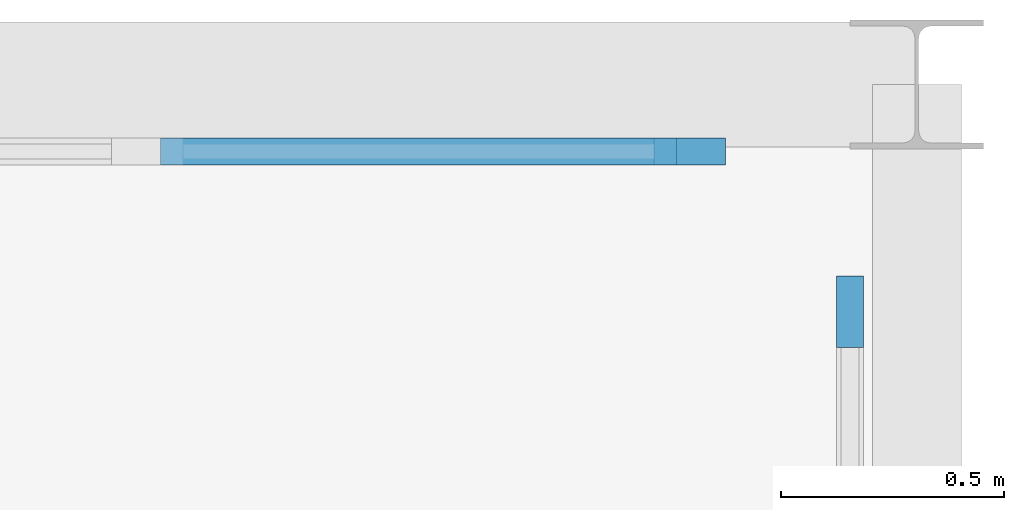
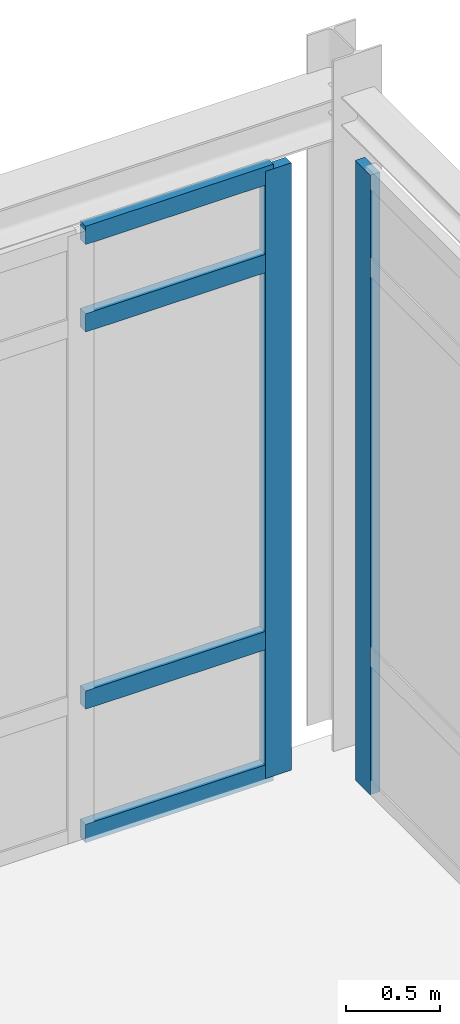
# One storey, part 55 of 101: 6 members, 2 elements without a shape of their own.
"""IFC4 building model written with IfcOpenShell, lengths in metres."""

from ifc_helpers import new_model, si_unit, derived_unit, direction, frame, origin, origin_2d, place, context, subcontext, project, spatial, rectangle, extrude, material, layer, layer_set, material_profile, profile_set, type_object, element, aggregate, save


model = new_model("IFC4")

# Units and contexts
model_context = context("Model", 3, precision=1e-05, world=origin(), true_north=direction((0.0, 1.0)))
body_context = subcontext(model_context, "Body", "Model", "MODEL_VIEW")
ifc_project = project(units=[si_unit("LENGTHUNIT", "METRE"), si_unit("AREAUNIT", "SQUARE_METRE"), si_unit("VOLUMEUNIT", "CUBIC_METRE"), si_unit("PLANEANGLEUNIT", "RADIAN"), si_unit("MASSUNIT", "GRAM", prefix="KILO"), derived_unit("THERMALTRANSMITTANCEUNIT", [(si_unit("POWERUNIT", "WATT"), 1), (si_unit("AREAUNIT", "SQUARE_METRE"), -1), (si_unit("THERMODYNAMICTEMPERATUREUNIT", "KELVIN"), -1)])], contexts=[model_context])

# Site, building, storey
site_placement = place(None, origin())
site = spatial("IfcSite", under=ifc_project, at=site_placement, CompositionType="ELEMENT")
building_placement = place(site_placement, origin())
building = spatial("IfcBuilding", under=site, at=building_placement, Name="Yasenodar Specialist Clinic", CompositionType="ELEMENT")
storey_placement = place(building_placement, origin())
storey = spatial("IfcBuildingStorey", under=building, at=storey_placement, Name="L00", CompositionType="ELEMENT", Elevation=0.0)

# Curtain wall, member
ifc_material_1 = material(Name="Bronze Anodized Aluminium and Triple Low-E Glass", Category="aluminium")
ifc_layer = layer(ifc_material_1, 0.178955078125)
ifc_layer_set = layer_set([ifc_layer], Name="Bronze Anodized Aluminium and Triple Low-E Glass")
curtain_wall_type = type_object("IfcCurtainWallType", Name="CW-SYS-02", PredefinedType="USERDEFINED", material=ifc_layer_set)
curtain_wall_1_placement = place(storey_placement, origin())
curtain_wall_1 = element("IfcCurtainWall", 1, at=curtain_wall_1_placement, inside=storey, type_object=curtain_wall_type, Name="L00 Unitised Curtain Wall 086", ObjectType="UNITISED CURTAIN WALL", PredefinedType="USERDEFINED")
ifc_material_2 = material(Name="Bronze Anodized Aluminium", Category="aluminium")
ifc_material_profile_1 = material_profile(ifc_material_2, rectangle(XDim=0.06005859375, YDim=0.159912109375, at=origin_2d()), Name="CW-MULL 60x160")
ifc_profile_set_1 = profile_set([ifc_material_profile_1], Name="Bronze Anodized Aluminium")
member_type_1 = type_object("IfcMemberType", Name="CW-MULL-160", PredefinedType="MULLION", material=ifc_profile_set_1)
member_1_placement = place(storey_placement, frame((161.25, 16.2900390625, 0.0), z_axis=(0.0, 0.0, 1.0), x_axis=(1.0, 0.0, 0.0)))
member_1 = element("IfcMember", 2, at=member_1_placement, type_object=member_type_1, Name="CW-02 mullion 1", PredefinedType="MULLION", context=body_context, shape_type="SweptSolid", body=[
    extrude(rectangle(XDim=0.06005859375, YDim=0.159912109375, at=origin_2d()), origin(), (0.0, 0.0, 1.0), 4.0380859375),
])
aggregate(curtain_wall_1, [member_1])

# Curtain wall, members
curtain_wall_2_placement = place(storey_placement, origin())
curtain_wall_2 = element("IfcCurtainWall", 3, at=curtain_wall_2_placement, inside=storey, type_object=curtain_wall_type, Name="L00 Unitised Curtain Wall 089", ObjectType="UNITISED CURTAIN WALL", PredefinedType="USERDEFINED")
member_2_placement = place(storey_placement, frame((160.889892578125, 16.64990234375, 0.0), z_axis=(0.0, 0.0, 1.0), x_axis=(0.0, 1.0, 0.0)))
member_2 = element("IfcMember", 4, at=member_2_placement, type_object=member_type_1, Name="CW-02 mullion 6", PredefinedType="MULLION", context=body_context, shape_type="SweptSolid", body=[
    extrude(rectangle(XDim=0.06005859375, YDim=0.159912109375, at=origin_2d()), origin(), (0.0, 0.0, 1.0), 3.9580078125),
])
ifc_material_profile_2 = material_profile(ifc_material_2, rectangle(XDim=0.06005859375, YDim=0.1201171875, at=origin_2d()), Name="CW-TRAN 60x120")
ifc_profile_set_2 = profile_set([ifc_material_profile_2], Name="Bronze Anodized Aluminium")
member_type_2 = type_object("IfcMemberType", Name="CW-TRAN-120", PredefinedType="USERDEFINED", material=ifc_profile_set_2)
member_3_placement = place(storey_placement, frame((159.701904296875, 16.64990234375, 0.030029296875), z_axis=(1.0, 0.0, 0.0), x_axis=(0.0, 1.0, 0.0)))
member_3 = element("IfcMember", 5, at=member_3_placement, type_object=member_type_2, Name="CW-02 transom 5.1", ObjectType="TRANSOM", PredefinedType="USERDEFINED", context=body_context, shape_type="SweptSolid", body=[
    extrude(rectangle(XDim=0.06005859375, YDim=0.1201171875, at=origin_2d()), origin(), (0.0, 0.0, 1.0), 1.158203125),
])
member_4_placement = place(storey_placement, frame((159.701904296875, 16.64990234375, 0.89990234375), z_axis=(1.0, 0.0, 0.0), x_axis=(0.0, 1.0, 0.0)))
member_4 = element("IfcMember", 6, at=member_4_placement, type_object=member_type_2, Name="CW-02 transom 5.2", ObjectType="TRANSOM", PredefinedType="USERDEFINED", context=body_context, shape_type="SweptSolid", body=[
    extrude(rectangle(XDim=0.06005859375, YDim=0.1201171875, at=origin_2d()), origin(), (0.0, 0.0, 1.0), 1.158203125),
])
member_5_placement = place(storey_placement, frame((159.701904296875, 16.64990234375, 3.35791015625), z_axis=(1.0, 0.0, 0.0), x_axis=(0.0, 1.0, 0.0)))
member_5 = element("IfcMember", 7, at=member_5_placement, type_object=member_type_2, Name="CW-02 transom 5.3", ObjectType="TRANSOM", PredefinedType="USERDEFINED", context=body_context, shape_type="SweptSolid", body=[
    extrude(rectangle(XDim=0.06005859375, YDim=0.1201171875, at=origin_2d()), origin(), (0.0, 0.0, 1.0), 1.158203125),
])
member_6_placement = place(storey_placement, frame((159.701904296875, 16.64990234375, 3.927978515625), z_axis=(1.0, 0.0, 0.0), x_axis=(0.0, 1.0, 0.0)))
member_6 = element("IfcMember", 8, at=member_6_placement, type_object=member_type_2, Name="CW-02 transom 5.4", ObjectType="TRANSOM", PredefinedType="USERDEFINED", context=body_context, shape_type="SweptSolid", body=[
    extrude(rectangle(XDim=0.06005859375, YDim=0.1201171875, at=origin_2d()), origin(), (0.0, 0.0, 1.0), 1.158203125),
])
aggregate(curtain_wall_2, [member_2, member_3, member_4, member_5, member_6])

save(model, "model.ifc")
